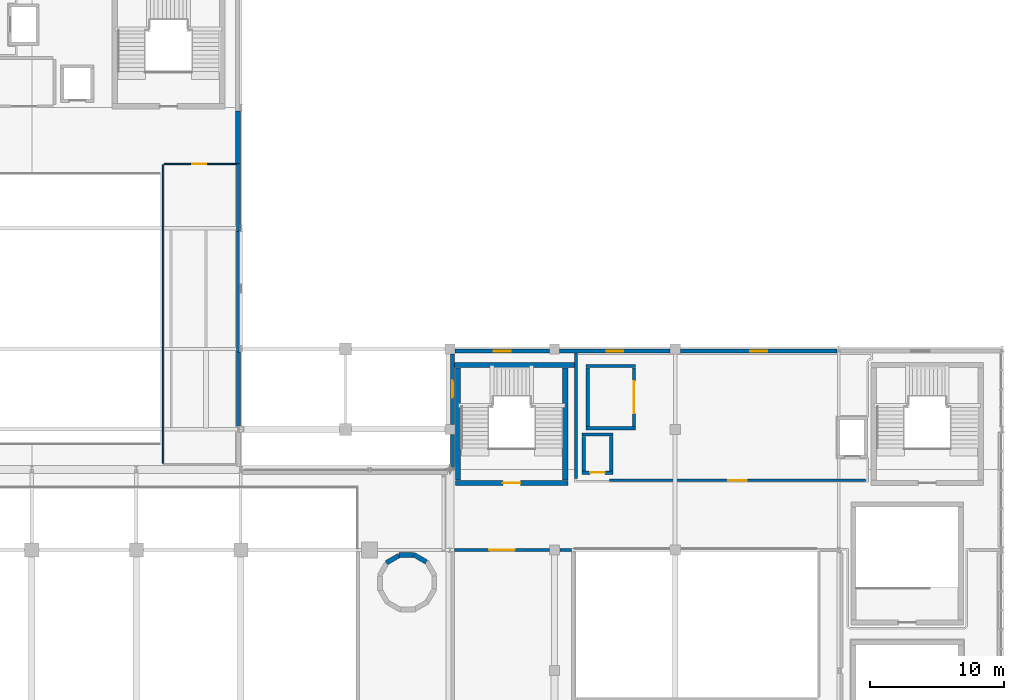
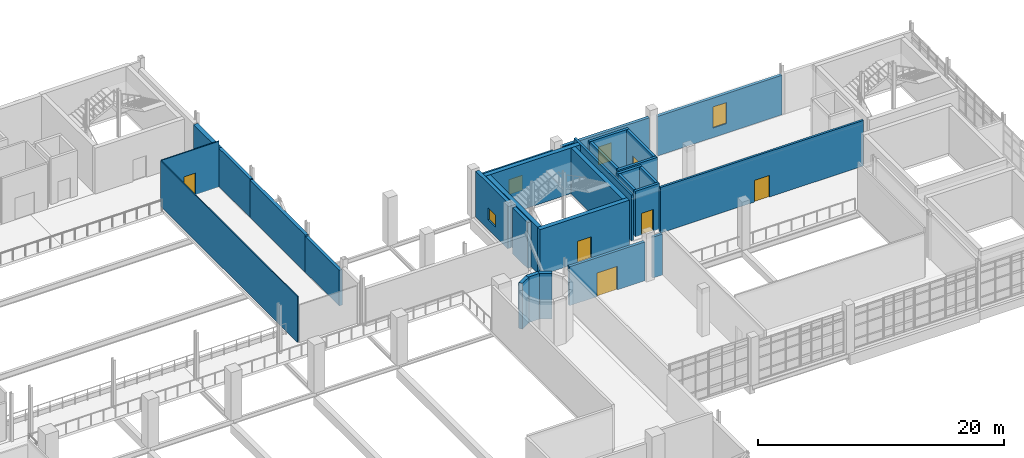
# One storey, part 93 of 102: 30 walls, 6 doors, 4 windows, 10 openings.
"""IFC4 building model written with IfcOpenShell, lengths in metres."""

from ifc_helpers import new_model, si_unit, derived_unit, direction, frame, frame_2d, origin, place, context, subcontext, project, spatial, rectangle, extrude, material, layer, layer_set, type_object, element, fill, save


model = new_model("IFC4")

# Units and contexts
model_context = context("Model", 3, precision=1e-05, world=origin(), true_north=direction((0.0, 1.0)))
body_context = subcontext(model_context, "Body", "Model", "MODEL_VIEW")
ifc_project = project(units=[si_unit("LENGTHUNIT", "METRE"), si_unit("AREAUNIT", "SQUARE_METRE"), si_unit("VOLUMEUNIT", "CUBIC_METRE"), si_unit("PLANEANGLEUNIT", "RADIAN"), si_unit("MASSUNIT", "GRAM", prefix="KILO"), derived_unit("THERMALTRANSMITTANCEUNIT", [(si_unit("POWERUNIT", "WATT"), 1), (si_unit("LENGTHUNIT", "METRE"), -2), (si_unit("THERMODYNAMICTEMPERATUREUNIT", "KELVIN"), -1)])], contexts=[model_context])

# Site, building, storey
site_placement = place(None, origin())
site = spatial("IfcSite", under=ifc_project, at=site_placement, CompositionType="ELEMENT")
building_placement = place(site_placement, origin())
building = spatial("IfcBuilding", under=site, at=building_placement, Name="Nallur Shell Playhouse", CompositionType="ELEMENT")
storey_placement = place(building_placement, frame((0.0, 0.0, 15.0)))
storey = spatial("IfcBuildingStorey", under=building, at=storey_placement, Name="L04", CompositionType="ELEMENT", Elevation=15.0)

# Wall, opening, door
ifc_material_1 = material(Name="Concrete M45", Category="concrete")
ifc_layer_1 = layer(ifc_material_1, 0.39990234375)
ifc_layer_set_1 = layer_set([ifc_layer_1], Name="Concrete M45")
wall_type_1 = type_object("IfcWallType", Name="WL-CORE-400", PredefinedType="SHEAR", material=ifc_layer_set_1)
wall_1_placement = place(storey_placement, frame((119.0, 46.0, 0.0), z_axis=(0.0, 0.0, 1.0), x_axis=(1.0, 0.0, 0.0)))
wall_1 = element("IfcWall", 1, at=wall_1_placement, inside=storey, type_object=wall_type_1, Name="Joint Core JC-2 shear wall S (L04)", PredefinedType="SHEAR", context=body_context, shape_type="SweptSolid", body=[
    extrude(rectangle(XDim=8.39990234375, YDim=0.39990234375, at=frame_2d((4.199951171875, 0.0))), origin(), (0.0, 0.0, 1.0), 4.550048828125),
])
opening_1_placement = place(wall_1_placement, frame((3.550048828125, 0.0, 0.0)))
opening_1 = element("IfcOpeningElement", 2, at=opening_1_placement, cuts=wall_1, Name="Opening FD-ST1", PredefinedType="OPENING", context=body_context, shape_type="SweptSolid", body=[
    extrude(rectangle(XDim=1.300048828125, YDim=2.14990234375, at=frame_2d((0.64990234375, 1.074951171875))), frame((0.0, 0.2099609375, 0.0), z_axis=(0.0, -1.0, 0.0), x_axis=(1.0, 0.0, 0.0)), (0.0, 0.0, 1.0), 0.419921875),
])
ifc_material_2 = material(Name="Galvanised Steel Fire-Rated Stair Door", Category="steel")
door_type_1 = type_object("IfcDoorType", Name="DR-INT-STAIR-L", OperationType="SINGLE_SWING_LEFT", PredefinedType="DOOR", material=ifc_material_2)
door_1_placement = place(opening_1_placement, origin())
door_1 = element("IfcDoor", 3, at=door_1_placement, inside=storey, type_object=door_type_1, Name="Exit stair ST-02 fire door (L04)", OperationType="SINGLE_SWING_LEFT", OverallHeight=2.14990234375, OverallWidth=1.300048828125, PredefinedType="DOOR", context=body_context, shape_type="SweptSolid", body=[
    extrude(rectangle(XDim=1.300048828125, YDim=2.14990234375, at=frame_2d((0.64990234375, 1.074951171875))), frame((0.0, 0.02490234375, 0.0), z_axis=(0.0, -1.0, 0.0), x_axis=(1.0, 0.0, 0.0)), (0.0, 0.0, 1.0), 0.050048828125),
])
fill(opening_1, door_1)

# Walls
wall_2_placement = place(storey_placement, frame((127.89599609375, 54.800048828125, 0.0), z_axis=(0.0, 0.0, 1.0), x_axis=(-1.0, 0.0, 0.0)))
element("IfcWall", 4, at=wall_2_placement, inside=storey, type_object=wall_type_1, Name="Joint Core JC-2 shear wall N (L04)", PredefinedType="SHEAR", context=body_context, shape_type="SweptSolid", body=[
    extrude(rectangle(XDim=8.951904296875, YDim=0.39990234375, at=frame_2d((4.47607421875, 0.0))), origin(), (0.0, 0.0, 1.0), 4.550048828125),
])
for number, where, z_axis, x_axis, name in (
    (5, (127.199951171875, 46.2099609375, 0.0), (0.0, 0.0, 1.0), (0.0, 1.0, 0.0), "Joint Core JC-2 shear wall E (L04)"),
    (6, (119.199951171875, 54.590087890625, 0.0), (0.0, 0.0, 1.0), (0.0, -1.0, 0.0), "Joint Core JC-2 shear wall W (L04)"),
):
    element("IfcWall", number, at=place(storey_placement, frame(where, z_axis=z_axis, x_axis=x_axis)), inside=storey, type_object=wall_type_1, Name=name, PredefinedType="SHEAR", context=body_context, shape_type="SweptSolid", body=[
        extrude(rectangle(XDim=8.380126953125, YDim=0.39990234375, at=frame_2d((4.18994140625, 0.0))), origin(), (0.0, 0.0, 1.0), 4.550048828125),
    ])
for number, where, z_axis, x_axis, name in (
    (7, (116.8330078125, 40.114990234375, 0.0), (0.0, 0.0, 1.0), (-0.866062834654, 0.499935162227, 0.0), "Metabolist service drum DR-2 facet 2 (L04)"),
    (8, (115.883544921875, 40.62841796875, 0.0), (0.0, 0.0, 1.0), (-1.0, 0.0, 0.0), "Metabolist service drum DR-2 facet 3 (L04)"),
    (9, (114.804443359375, 40.598388671875, 0.0), (0.0, 0.0, 1.0), (-0.866062834654, -0.499935162227, 0.0), "Metabolist service drum DR-2 facet 4 (L04)"),
):
    element("IfcWall", number, at=place(storey_placement, frame(where, z_axis=z_axis, x_axis=x_axis)), inside=storey, type_object=wall_type_1, Name=name, PredefinedType="SHEAR", context=body_context, shape_type="SweptSolid", body=[
        extrude(rectangle(XDim=1.093017578125, YDim=0.35009765625, at=frame_2d((0.54638671875, 0.0))), origin(), (0.0, 0.0, 1.0), 4.550048828125),
    ])

# Wall, opening, window
ifc_material_3 = material(Name="Concrete M30", Category="concrete")
ifc_layer_2 = layer(ifc_material_3, 0.280029296875)
ifc_layer_set_2 = layer_set([ifc_layer_2], Name="Concrete M30")
wall_type_2 = type_object("IfcWallType", Name="WL-EXT-INS280", PredefinedType="STANDARD", material=ifc_layer_set_2)
wall_3_placement = place(storey_placement, frame((118.98291015625, 55.840087890625, 0.0), z_axis=(0.0, 0.0, 1.0), x_axis=(1.0, 0.0, 0.0)))
wall_3 = element("IfcWall", 10, at=wall_3_placement, inside=storey, type_object=wall_type_2, Name="L04 exterior wall EW-L04-186", PredefinedType="STANDARD", context=body_context, shape_type="SweptSolid", body=[
    extrude(rectangle(XDim=7.0341796875, YDim=0.280029296875, at=frame_2d((3.51708984375, 0.0))), origin(), (0.0, 0.0, 1.0), 3.885009765625),
])
opening_2_placement = place(wall_3_placement, frame((2.89208984375, 0.0, 0.949951171875)))
opening_2 = element("IfcOpeningElement", 11, at=opening_2_placement, cuts=wall_3, Name="Opening WN-10", PredefinedType="OPENING", context=body_context, shape_type="SweptSolid", body=[
    extrude(rectangle(XDim=1.25, YDim=1.5, at=frame_2d((0.625, 0.75))), frame((0.0, 0.14990234375, 0.0), z_axis=(0.0, -1.0, 0.0), x_axis=(1.0, 0.0, 0.0)), (0.0, 0.0, 1.0), 0.300048828125),
])
ifc_material_4 = material(Name="Thermally Broken Aluminium Acoustic Double-Glazed Window", Category="aluminium")
window_type_1 = type_object("IfcWindowType", Name="WN-TYPE-10", PartitioningType="SINGLE_PANEL", PredefinedType="WINDOW", material=ifc_material_4)
window_1_placement = place(opening_2_placement, origin())
window_1 = element("IfcWindow", 12, at=window_1_placement, inside=storey, type_object=window_type_1, Name="L04 facade module window 074", OverallHeight=1.5, OverallWidth=1.25, PartitioningType="SINGLE_PANEL", PredefinedType="WINDOW", context=body_context, shape_type="SweptSolid", body=[
    extrude(rectangle(XDim=1.25, YDim=1.5, at=frame_2d((0.625, 0.75))), frame((0.0, 0.030029296875, 0.0), z_axis=(0.0, -1.0, 0.0), x_axis=(1.0, 0.0, 0.0)), (0.0, 0.0, 1.0), 0.06005859375),
])
fill(opening_2, window_1)

wall_4_placement = place(storey_placement, frame((126.782958984375, 55.840087890625, 0.0), z_axis=(0.0, 0.0, 1.0), x_axis=(1.0, 0.0, 0.0)))
wall_4 = element("IfcWall", 13, at=wall_4_placement, inside=storey, type_object=wall_type_2, Name="L04 exterior wall EW-L04-187", PredefinedType="STANDARD", context=body_context, shape_type="SweptSolid", body=[
    extrude(rectangle(XDim=8.234130859375, YDim=0.280029296875, at=frame_2d((4.1171875, 0.0))), origin(), (0.0, 0.0, 1.0), 4.074951171875),
])
opening_3_placement = place(wall_4_placement, frame((3.491943359375, 0.0, 0.949951171875)))
opening_3 = element("IfcOpeningElement", 14, at=opening_3_placement, cuts=wall_4, Name="Opening WN-11", PredefinedType="OPENING", context=body_context, shape_type="SweptSolid", body=[
    extrude(rectangle(XDim=1.25, YDim=1.800048828125, at=frame_2d((0.625, 0.89990234375))), frame((0.0, 0.14990234375, 0.0), z_axis=(0.0, -1.0, 0.0), x_axis=(1.0, 0.0, 0.0)), (0.0, 0.0, 1.0), 0.300048828125),
])
window_type_2 = type_object("IfcWindowType", Name="WN-TYPE-11", PartitioningType="SINGLE_PANEL", PredefinedType="WINDOW", material=ifc_material_4)
window_2_placement = place(opening_3_placement, origin())
window_2 = element("IfcWindow", 15, at=window_2_placement, inside=storey, type_object=window_type_2, Name="L04 facade module window 075", OverallHeight=1.800048828125, OverallWidth=1.25, PartitioningType="SINGLE_PANEL", PredefinedType="WINDOW", context=body_context, shape_type="SweptSolid", body=[
    extrude(rectangle(XDim=1.25, YDim=1.800048828125, at=frame_2d((0.625, 0.89990234375))), frame((0.0, 0.030029296875, 0.0), z_axis=(0.0, -1.0, 0.0), x_axis=(1.0, 0.0, 0.0)), (0.0, 0.0, 1.0), 0.06005859375),
])
fill(opening_3, window_2)

wall_5_placement = place(storey_placement, frame((135.782958984375, 55.840087890625, 0.0), z_axis=(0.0, 0.0, 1.0), x_axis=(1.0, 0.0, 0.0)))
wall_5 = element("IfcWall", 16, at=wall_5_placement, inside=storey, type_object=wall_type_2, Name="L04 exterior wall EW-L04-188", PredefinedType="STANDARD", context=body_context, shape_type="SweptSolid", body=[
    extrude(rectangle(XDim=11.68408203125, YDim=0.280029296875, at=frame_2d((5.842041015625, 0.0))), origin(), (0.0, 0.0, 1.0), 3.925048828125),
])
opening_4_placement = place(wall_5_placement, frame((5.217041015625, 0.0, 0.949951171875)))
opening_4 = element("IfcOpeningElement", 17, at=opening_4_placement, cuts=wall_5, Name="Opening WN-12", PredefinedType="OPENING", context=body_context, shape_type="SweptSolid", body=[
    extrude(rectangle(XDim=1.25, YDim=2.10009765625, at=frame_2d((0.625, 1.050048828125))), frame((0.0, 0.14990234375, 0.0), z_axis=(0.0, -1.0, 0.0), x_axis=(1.0, 0.0, 0.0)), (0.0, 0.0, 1.0), 0.300048828125),
])
window_type_3 = type_object("IfcWindowType", Name="WN-TYPE-12", PartitioningType="SINGLE_PANEL", PredefinedType="WINDOW", material=ifc_material_4)
window_3_placement = place(opening_4_placement, origin())
window_3 = element("IfcWindow", 18, at=window_3_placement, inside=storey, type_object=window_type_3, Name="L04 facade module window 076", OverallHeight=2.10009765625, OverallWidth=1.25, PartitioningType="SINGLE_PANEL", PredefinedType="WINDOW", context=body_context, shape_type="SweptSolid", body=[
    extrude(rectangle(XDim=1.25, YDim=2.10009765625, at=frame_2d((0.625, 1.050048828125))), frame((0.0, 0.030029296875, 0.0), z_axis=(0.0, -1.0, 0.0), x_axis=(1.0, 0.0, 0.0)), (0.0, 0.0, 1.0), 0.06005859375),
])
fill(opening_4, window_3)

# Walls
ifc_material_5 = material(Name="Concrete M35", Category="concrete")
ifc_layer_3 = layer(ifc_material_5, 0.300048828125)
ifc_layer_set_3 = layer_set([ifc_layer_3], Name="Concrete M35")
wall_type_3 = type_object("IfcWallType", Name="WL-EXT-RC300", PredefinedType="STANDARD", material=ifc_layer_set_3)
wall_6_placement = place(storey_placement, frame((102.830078125, 69.840087890625, 0.0), z_axis=(0.0, 0.0, 1.0), x_axis=(0.0, -1.0, 0.0)))
element("IfcWall", 19, at=wall_6_placement, inside=storey, type_object=wall_type_3, Name="L04 exterior wall EW-L04-179", PredefinedType="STANDARD", context=body_context, shape_type="SweptSolid", body=[
    extrude(rectangle(XDim=5.072998046875, YDim=0.300048828125, at=frame_2d((2.53662109375, 0.0))), origin(), (0.0, 0.0, 1.0), 3.784912109375),
])
wall_7_placement = place(storey_placement, frame((102.830078125, 64.76708984375, 0.0), z_axis=(0.0, 0.0, 1.0), x_axis=(0.0, -1.0, 0.0)))
element("IfcWall", 20, at=wall_7_placement, inside=storey, type_object=wall_type_3, Name="L04 exterior wall EW-L04-180", PredefinedType="STANDARD", context=body_context, shape_type="SweptSolid", body=[
    extrude(rectangle(XDim=9.0, YDim=0.300048828125, at=frame_2d((4.5, 0.0))), origin(), (0.0, 0.0, 1.0), 3.68505859375),
])
wall_8_placement = place(storey_placement, frame((102.830078125, 55.76708984375, 0.0), z_axis=(0.0, 0.0, 1.0), x_axis=(0.0, -1.0, 0.0)))
element("IfcWall", 21, at=wall_8_placement, inside=storey, type_object=wall_type_3, Name="L04 exterior wall EW-L04-181", PredefinedType="STANDARD", context=body_context, shape_type="SweptSolid", body=[
    extrude(rectangle(XDim=5.5341796875, YDim=0.300048828125, at=frame_2d((2.76708984375, 0.0))), origin(), (0.0, 0.0, 1.0), 3.534912109375),
])
ifc_layer_4 = layer(ifc_material_5, 0.320068359375)
ifc_layer_set_4 = layer_set([ifc_layer_4], Name="Concrete M35")
wall_type_4 = type_object("IfcWallType", Name="WL-EXT-RC320", PredefinedType="STANDARD", material=ifc_layer_set_4)
wall_9_placement = place(storey_placement, frame((118.780029296875, 47.169921875, 0.0), z_axis=(0.0, 0.0, 1.0), x_axis=(0.0, 1.0, 0.0)))
element("IfcWall", 22, at=wall_9_placement, inside=storey, type_object=wall_type_4, Name="L04 exterior wall EW-L04-184", PredefinedType="STANDARD", context=body_context, shape_type="SweptSolid", body=[
    extrude(rectangle(XDim=2.447021484375, YDim=0.320068359375, at=frame_2d((1.2236328125, 0.0))), origin(), (0.0, 0.0, 1.0), 4.550048828125),
])

# Wall, opening, window
wall_10_placement = place(storey_placement, frame((118.780029296875, 50.383056640625, 0.0), z_axis=(0.0, 0.0, 1.0), x_axis=(0.0, 1.0, 0.0)))
wall_10 = element("IfcWall", 23, at=wall_10_placement, inside=storey, type_object=wall_type_4, Name="L04 exterior wall EW-L04-185", PredefinedType="STANDARD", context=body_context, shape_type="SweptSolid", body=[
    extrude(rectangle(XDim=5.23388671875, YDim=0.320068359375, at=frame_2d((2.616943359375, 0.0))), origin(), (0.0, 0.0, 1.0), 4.550048828125),
])
opening_5_placement = place(wall_10_placement, frame((1.991943359375, 0.0, 0.949951171875)))
opening_5 = element("IfcOpeningElement", 24, at=opening_5_placement, cuts=wall_10, Name="Opening WN-09", PredefinedType="OPENING", context=body_context, shape_type="SweptSolid", body=[
    extrude(rectangle(XDim=1.25, YDim=1.199951171875, at=frame_2d((0.625, 0.60009765625))), frame((0.0, 0.169921875, 0.0), z_axis=(0.0, -1.0, 0.0), x_axis=(1.0, 0.0, 0.0)), (0.0, 0.0, 1.0), 0.340087890625),
])
window_type_4 = type_object("IfcWindowType", Name="WN-TYPE-09", PartitioningType="SINGLE_PANEL", PredefinedType="WINDOW", material=ifc_material_4)
window_4_placement = place(opening_5_placement, origin())
window_4 = element("IfcWindow", 25, at=window_4_placement, inside=storey, type_object=window_type_4, Name="L04 facade module window 073", OverallHeight=1.199951171875, OverallWidth=1.25, PartitioningType="SINGLE_PANEL", PredefinedType="WINDOW", context=body_context, shape_type="SweptSolid", body=[
    extrude(rectangle(XDim=1.25, YDim=1.199951171875, at=frame_2d((0.625, 0.60009765625))), frame((0.0, 0.030029296875, 0.0), z_axis=(0.0, -1.0, 0.0), x_axis=(1.0, 0.0, 0.0)), (0.0, 0.0, 1.0), 0.06005859375),
])
fill(opening_5, window_4)

# Wall
ifc_material_6 = material(Name="Concrete M40", Category="concrete")
ifc_layer_5 = layer(ifc_material_6, 0.39990234375)
ifc_layer_set_5 = layer_set([ifc_layer_5], Name="Concrete M40")
wall_type_5 = type_object("IfcWallType", Name="WL-EXT-RC400", PredefinedType="STANDARD", material=ifc_layer_set_5)
wall_11_placement = place(storey_placement, frame((102.780029296875, 73.76708984375, 0.0), z_axis=(0.0, 0.0, 1.0), x_axis=(0.0, -1.0, 0.0)))
element("IfcWall", 26, at=wall_11_placement, inside=storey, type_object=wall_type_5, Name="L04 exterior wall EW-L04-178", PredefinedType="STANDARD", context=body_context, shape_type="SweptSolid", body=[
    extrude(rectangle(XDim=3.923095703125, YDim=0.39990234375, at=frame_2d((1.96142578125, 0.0))), origin(), (0.0, 0.0, 1.0), 3.784912109375),
])

# Wall, opening, door
ifc_layer_6 = layer(ifc_material_3, 0.199951171875)
ifc_layer_set_6 = layer_set([ifc_layer_6], Name="Concrete M30")
wall_type_6 = type_object("IfcWallType", Name="WL-PART-AC200", PredefinedType="PARTITIONING", material=ifc_layer_set_6)
wall_12_placement = place(storey_placement, frame((149.580078125, 46.199951171875, 0.0), z_axis=(0.0, 0.0, 1.0), x_axis=(-1.0, 0.0, 0.0)))
wall_12 = element("IfcWall", 27, at=wall_12_placement, inside=storey, type_object=wall_type_6, Name="Dramaturgy & Stagecraft Lecture Room partition IW-L04-0290", PredefinedType="PARTITIONING", context=body_context, shape_type="SweptSolid", body=[
    extrude(rectangle(XDim=19.080078125, YDim=0.199951171875, at=frame_2d((9.5400390625, 0.0))), origin(), (0.0, 0.0, 1.0), 4.530029296875),
])
opening_6_placement = place(wall_12_placement, frame((8.840087890625, 0.0, 0.0)))
opening_6 = element("IfcOpeningElement", 28, at=opening_6_placement, cuts=wall_12, Name="Opening SD-01", PredefinedType="OPENING", context=body_context, shape_type="SweptSolid", body=[
    extrude(rectangle(XDim=1.39990234375, YDim=2.14990234375, at=frame_2d((0.699951171875, 1.074951171875))), frame((0.0, 0.10986328125, 0.0), z_axis=(0.0, -1.0, 0.0), x_axis=(1.0, 0.0, 0.0)), (0.0, 0.0, 1.0), 0.219970703125),
])
ifc_material_7 = material(Name="Accessible Studio Acoustic Sliding Door")
door_type_2 = type_object("IfcDoorType", Name="DR-INT-SLIDE1400", OperationType="SLIDING_TO_LEFT", PredefinedType="DOOR", material=ifc_material_7)
door_2_placement = place(opening_6_placement, origin())
door_2 = element("IfcDoor", 29, at=door_2_placement, inside=storey, type_object=door_type_2, Name="Dramaturgy & Stagecraft Lecture Room door 1", OperationType="SLIDING_TO_LEFT", OverallHeight=2.14990234375, OverallWidth=1.39990234375, PredefinedType="DOOR", context=body_context, shape_type="SweptSolid", body=[
    extrude(rectangle(XDim=1.39990234375, YDim=2.14990234375, at=frame_2d((0.699951171875, 1.074951171875))), frame((0.0, 0.02490234375, 0.0), z_axis=(0.0, -1.0, 0.0), x_axis=(1.0, 0.0, 0.0)), (0.0, 0.0, 1.0), 0.050048828125),
])
fill(opening_6, door_2)

# Wall
wall_13_placement = place(storey_placement, frame((128.0, 46.320068359375, 0.0), z_axis=(0.0, 0.0, 1.0), x_axis=(0.0, 1.0, 0.0)))
element("IfcWall", 30, at=wall_13_placement, inside=storey, type_object=wall_type_6, Name="Dramaturgy & Stagecraft Lecture Room partition IW-L04-0291", PredefinedType="PARTITIONING", context=body_context, shape_type="SweptSolid", body=[
    extrude(rectangle(XDim=9.3759765625, YDim=0.199951171875, at=frame_2d((4.68798828125, 0.0))), origin(), (0.0, 0.0, 1.0), 4.5400390625),
])

# Wall, opening, door
ifc_layer_7 = layer(ifc_material_3, 0.25)
ifc_layer_set_7 = layer_set([ifc_layer_7], Name="Concrete M30")
wall_type_7 = type_object("IfcWallType", Name="WL-PART-AC250", PredefinedType="PARTITIONING", material=ifc_layer_set_7)
wall_14_placement = place(storey_placement, frame((118.945068359375, 41.0, 0.0), z_axis=(0.0, 0.0, 1.0), x_axis=(1.0, 0.0, 0.0)))
wall_14 = element("IfcWall", 31, at=wall_14_placement, inside=storey, type_object=wall_type_7, Name="Studio Lighting & Acoustic Rigging Gallery partition IW-L04-0305", PredefinedType="PARTITIONING", context=body_context, shape_type="SweptSolid", body=[
    extrude(rectangle(XDim=7.06494140625, YDim=0.25, at=frame_2d((3.532470703125, 0.0))), origin(), (0.0, 0.0, 1.0), 3.8701171875),
])
opening_7_placement = place(wall_14_placement, frame((2.5830078125, 0.0, 0.0)))
opening_7 = element("IfcOpeningElement", 32, at=opening_7_placement, cuts=wall_14, Name="Opening AD-02", PredefinedType="OPENING", context=body_context, shape_type="SweptSolid", body=[
    extrude(rectangle(XDim=1.89990234375, YDim=2.35009765625, at=frame_2d((0.949951171875, 1.175048828125))), frame((0.0, 0.135009765625, 0.0), z_axis=(0.0, -1.0, 0.0), x_axis=(1.0, 0.0, 0.0)), (0.0, 0.0, 1.0), 0.27001953125),
])
ifc_material_8 = material(Name="Acoustic Timber Sound-Lock Double Door", Category="wood")
door_type_3 = type_object("IfcDoorType", Name="DR-INT-AUD-DBR", OperationType="DOUBLE_SWING_RIGHT", PredefinedType="DOOR", material=ifc_material_8)
door_3_placement = place(opening_7_placement, origin())
door_3 = element("IfcDoor", 33, at=door_3_placement, inside=storey, type_object=door_type_3, Name="Studio Lighting & Acoustic Rigging Gallery door 1", OperationType="DOUBLE_SWING_RIGHT", OverallHeight=2.35009765625, OverallWidth=1.89990234375, PredefinedType="DOOR", context=body_context, shape_type="SweptSolid", body=[
    extrude(rectangle(XDim=1.89990234375, YDim=2.35009765625, at=frame_2d((0.949951171875, 1.175048828125))), frame((0.0, 0.02490234375, 0.0), z_axis=(0.0, -1.0, 0.0), x_axis=(1.0, 0.0, 0.0)), (0.0, 0.0, 1.0), 0.050048828125),
])
fill(opening_7, door_3)

# Wall
wall_15_placement = place(storey_placement, frame((126.7900390625, 41.0, 0.0), z_axis=(0.0, 0.0, 1.0), x_axis=(1.0, 0.0, 0.0)))
element("IfcWall", 34, at=wall_15_placement, inside=storey, type_object=wall_type_7, Name="Studio Lighting & Acoustic Rigging Gallery partition IW-L04-0306", PredefinedType="PARTITIONING", context=body_context, shape_type="SweptSolid", body=[
    extrude(rectangle(XDim=0.864990234375, YDim=0.25, at=frame_2d((0.4326171875, 0.0))), origin(), (0.0, 0.0, 1.0), 4.070068359375),
])

# Wall, opening, door
ifc_material_9 = material(Name="Double-Layer Fire-Rated Gypsum Stud Partition")
ifc_layer_8 = layer(ifc_material_9, 0.10009765625)
ifc_layer_set_8 = layer_set([ifc_layer_8], Name="Double-Layer Fire-Rated Gypsum Stud Partition")
wall_type_8 = type_object("IfcWallType", Name="WL-PART-DRY100", PredefinedType="PARTITIONING", material=ifc_layer_set_8)
wall_16_placement = place(storey_placement, frame((97.27001953125, 69.800048828125, 0.0), z_axis=(0.0, 0.0, 1.0), x_axis=(1.0, 0.0, 0.0)))
wall_16 = element("IfcWall", 35, at=wall_16_placement, inside=storey, type_object=wall_type_8, Name="Stage East Upper Rigging & Dimmer Gallery partition IW-L04-0324", PredefinedType="PARTITIONING", context=body_context, shape_type="SweptSolid", body=[
    extrude(rectangle(XDim=5.406005859375, YDim=0.10009765625, at=frame_2d((2.703125, 0.0))), origin(), (0.0, 0.0, 1.0), 4.5400390625),
])
opening_8_placement = place(wall_16_placement, frame((2.10498046875, 0.0, 0.0)))
opening_8 = element("IfcOpeningElement", 36, at=opening_8_placement, cuts=wall_16, Name="Opening ID-01", PredefinedType="OPENING", context=body_context, shape_type="SweptSolid", body=[
    extrude(rectangle(XDim=1.050048828125, YDim=2.14990234375, at=frame_2d((0.52490234375, 1.074951171875))), frame((0.0, 0.06005859375, 0.0), z_axis=(0.0, -1.0, 0.0), x_axis=(1.0, 0.0, 0.0)), (0.0, 0.0, 1.0), 0.1201171875),
])
ifc_material_10 = material(Name="Solid-Core Engineered Timber Fire Door", Category="wood")
door_type_4 = type_object("IfcDoorType", Name="DR-INT-SGL1050L", OperationType="SINGLE_SWING_LEFT", PredefinedType="DOOR", material=ifc_material_10)
door_4_placement = place(opening_8_placement, origin())
door_4 = element("IfcDoor", 37, at=door_4_placement, inside=storey, type_object=door_type_4, Name="Stage East Upper Rigging & Dimmer Gallery door 1", OperationType="SINGLE_SWING_LEFT", OverallHeight=2.14990234375, OverallWidth=1.050048828125, PredefinedType="DOOR", context=body_context, shape_type="SweptSolid", body=[
    extrude(rectangle(XDim=1.050048828125, YDim=2.14990234375, at=frame_2d((0.52490234375, 1.074951171875))), frame((0.0, 0.02490234375, 0.0), z_axis=(0.0, -1.0, 0.0), x_axis=(1.0, 0.0, 0.0)), (0.0, 0.0, 1.0), 0.050048828125),
])
fill(opening_8, door_4)

# Wall
wall_17_placement = place(storey_placement, frame((97.199951171875, 47.469970703125, 0.0), z_axis=(0.0, 0.0, 1.0), x_axis=(0.0, 1.0, 0.0)))
element("IfcWall", 38, at=wall_17_placement, inside=storey, type_object=wall_type_8, Name="Stage East Upper Rigging & Dimmer Gallery partition IW-L04-0326", PredefinedType="PARTITIONING", context=body_context, shape_type="SweptSolid", body=[
    extrude(rectangle(XDim=22.260009765625, YDim=0.10009765625, at=frame_2d((11.1298828125, 0.0))), origin(), (0.0, 0.0, 1.0), 4.5400390625),
])

# Wall, opening, door
ifc_layer_9 = layer(ifc_material_1, 0.25)
ifc_layer_set_9 = layer_set([ifc_layer_9], Name="Concrete M45")
wall_type_9 = type_object("IfcWallType", Name="WL-SHAFT-250", PredefinedType="STANDARD", material=ifc_layer_set_9)
wall_18_placement = place(storey_placement, frame((128.449951171875, 46.77490234375, 0.0), z_axis=(0.0, 0.0, 1.0), x_axis=(1.0, 0.0, 0.0)))
wall_18 = element("IfcWall", 39, at=wall_18_placement, inside=storey, type_object=wall_type_9, Name="Passenger Lift PL-2 shaft wall south (L04)", PredefinedType="STANDARD", context=body_context, shape_type="SweptSolid", body=[
    extrude(rectangle(XDim=2.300048828125, YDim=0.25, at=frame_2d((1.14990234375, 0.0))), origin(), (0.0, 0.0, 1.0), 4.530029296875),
])
opening_9_placement = place(wall_18_placement, frame((0.60009765625, 0.0, 0.0)))
opening_9 = element("IfcOpeningElement", 40, at=opening_9_placement, cuts=wall_18, Name="Opening LD-P1", PredefinedType="OPENING", context=body_context, shape_type="SweptSolid", body=[
    extrude(rectangle(XDim=1.10009765625, YDim=2.14990234375, at=frame_2d((0.550048828125, 1.074951171875))), frame((0.0, 0.135009765625, 0.0), z_axis=(0.0, -1.0, 0.0), x_axis=(1.0, 0.0, 0.0)), (0.0, 0.0, 1.0), 0.27001953125),
])
ifc_material_11 = material(Name="Brushed Stainless Steel Lift Landing Door", Category="steel")
door_type_5 = type_object("IfcDoorType", Name="DR-LIFT-PASS", OperationType="DOUBLE_DOOR_SLIDING", PredefinedType="DOOR", material=ifc_material_11)
door_5_placement = place(opening_9_placement, origin())
door_5 = element("IfcDoor", 41, at=door_5_placement, inside=storey, type_object=door_type_5, Name="Passenger Lift PL-2 sliding landing door (L04)", OperationType="DOUBLE_DOOR_SLIDING", OverallHeight=2.14990234375, OverallWidth=1.10009765625, PredefinedType="DOOR", context=body_context, shape_type="SweptSolid", body=[
    extrude(rectangle(XDim=1.10009765625, YDim=2.14990234375, at=frame_2d((0.550048828125, 1.074951171875))), frame((0.0, 0.02490234375, 0.0), z_axis=(0.0, -1.0, 0.0), x_axis=(1.0, 0.0, 0.0)), (0.0, 0.0, 1.0), 0.050048828125),
])
fill(opening_9, door_5)

# Walls
wall_19_placement = place(storey_placement, frame((130.75, 49.625, 0.0), z_axis=(0.0, 0.0, 1.0), x_axis=(-1.0, 0.0, 0.0)))
element("IfcWall", 42, at=wall_19_placement, inside=storey, type_object=wall_type_9, Name="Passenger Lift PL-2 shaft wall north (L04)", PredefinedType="STANDARD", context=body_context, shape_type="SweptSolid", body=[
    extrude(rectangle(XDim=2.300048828125, YDim=0.25, at=frame_2d((1.14990234375, 0.0))), origin(), (0.0, 0.0, 1.0), 4.530029296875),
])
for number, where, z_axis, x_axis, name in (
    (43, (130.625, 46.909912109375, 0.0), (0.0, 0.0, 1.0), (0.0, 1.0, 0.0), "Passenger Lift PL-2 shaft wall east (L04)"),
    (44, (128.574951171875, 49.489990234375, 0.0), (0.0, 0.0, 1.0), (0.0, -1.0, 0.0), "Passenger Lift PL-2 shaft wall west (L04)"),
):
    element("IfcWall", number, at=place(storey_placement, frame(where, z_axis=z_axis, x_axis=x_axis)), inside=storey, type_object=wall_type_9, Name=name, PredefinedType="STANDARD", context=body_context, shape_type="SweptSolid", body=[
        extrude(rectangle(XDim=2.580078125, YDim=0.25, at=frame_2d((1.2900390625, 0.0))), origin(), (0.0, 0.0, 1.0), 4.530029296875),
    ])
for number, where, z_axis, x_axis, name in (
    (45, (128.75, 50.074951171875, 0.0), (0.0, 0.0, 1.0), (1.0, 0.0, 0.0), "Stage Service Lift SL-2 shaft wall south (L04)"),
    (46, (132.449951171875, 54.72509765625, 0.0), (0.0, 0.0, 1.0), (-1.0, 0.0, 0.0), "Stage Service Lift SL-2 shaft wall north (L04)"),
):
    element("IfcWall", number, at=place(storey_placement, frame(where, z_axis=z_axis, x_axis=x_axis)), inside=storey, type_object=wall_type_9, Name=name, PredefinedType="STANDARD", context=body_context, shape_type="SweptSolid", body=[
        extrude(rectangle(XDim=3.699951171875, YDim=0.25, at=frame_2d((1.85009765625, 0.0))), origin(), (0.0, 0.0, 1.0), 4.530029296875),
    ])

# Wall, opening, door
wall_20_placement = place(storey_placement, frame((132.324951171875, 50.2099609375, 0.0), z_axis=(0.0, 0.0, 1.0), x_axis=(0.0, 1.0, 0.0)))
wall_20 = element("IfcWall", 47, at=wall_20_placement, inside=storey, type_object=wall_type_9, Name="Stage Service Lift SL-2 shaft wall east (L04)", PredefinedType="STANDARD", context=body_context, shape_type="SweptSolid", body=[
    extrude(rectangle(XDim=4.380126953125, YDim=0.25, at=frame_2d((2.18994140625, 0.0))), origin(), (0.0, 0.0, 1.0), 4.530029296875),
])
opening_10_placement = place(wall_20_placement, frame((0.989990234375, 0.0, 0.0)))
opening_10 = element("IfcOpeningElement", 48, at=opening_10_placement, cuts=wall_20, Name="Opening LD-S1", PredefinedType="OPENING", context=body_context, shape_type="SweptSolid", body=[
    extrude(rectangle(XDim=2.39990234375, YDim=2.550048828125, at=frame_2d((1.199951171875, 1.27490234375))), frame((0.0, 0.135009765625, 0.0), z_axis=(0.0, -1.0, 0.0), x_axis=(1.0, 0.0, 0.0)), (0.0, 0.0, 1.0), 0.27001953125),
])
ifc_material_12 = material(Name="Scenery Freight Lift Bi-Parting Landing Door")
door_type_6 = type_object("IfcDoorType", Name="DR-LIFT-SCEN", OperationType="DOUBLE_DOOR_SLIDING", PredefinedType="DOOR", material=ifc_material_12)
door_6_placement = place(opening_10_placement, origin())
door_6 = element("IfcDoor", 49, at=door_6_placement, inside=storey, type_object=door_type_6, Name="Stage Service Lift SL-2 sliding landing door (L04)", OperationType="DOUBLE_DOOR_SLIDING", OverallHeight=2.550048828125, OverallWidth=2.39990234375, PredefinedType="DOOR", context=body_context, shape_type="SweptSolid", body=[
    extrude(rectangle(XDim=2.39990234375, YDim=2.550048828125, at=frame_2d((1.199951171875, 1.27490234375))), frame((0.0, 0.02490234375, 0.0), z_axis=(0.0, -1.0, 0.0), x_axis=(1.0, 0.0, 0.0)), (0.0, 0.0, 1.0), 0.050048828125),
])
fill(opening_10, door_6)

# Wall
wall_21_placement = place(storey_placement, frame((128.875, 54.590087890625, 0.0), z_axis=(0.0, 0.0, 1.0), x_axis=(0.0, -1.0, 0.0)))
element("IfcWall", 50, at=wall_21_placement, inside=storey, type_object=wall_type_9, Name="Stage Service Lift SL-2 shaft wall west (L04)", PredefinedType="STANDARD", context=body_context, shape_type="SweptSolid", body=[
    extrude(rectangle(XDim=4.380126953125, YDim=0.25, at=frame_2d((2.18994140625, 0.0))), origin(), (0.0, 0.0, 1.0), 4.530029296875),
])

save(model, "model.ifc")
